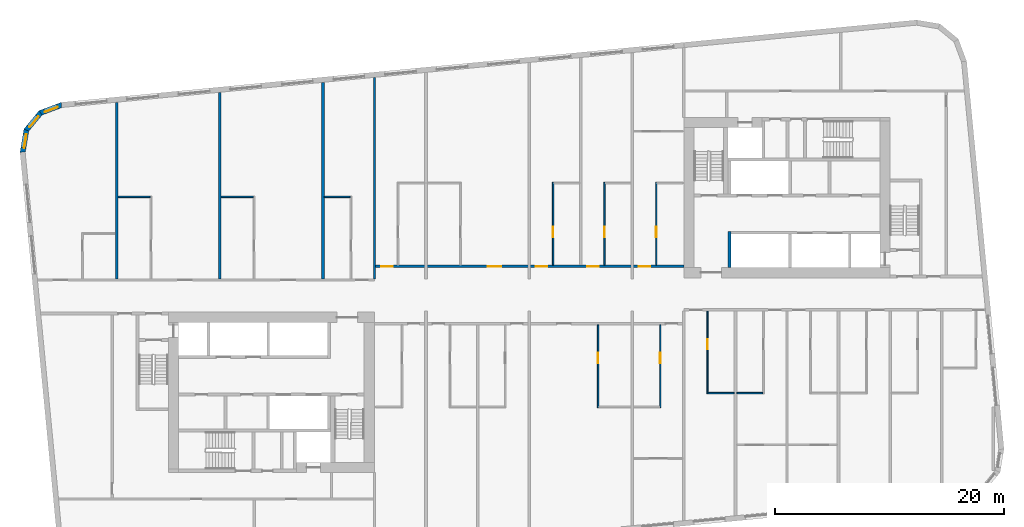
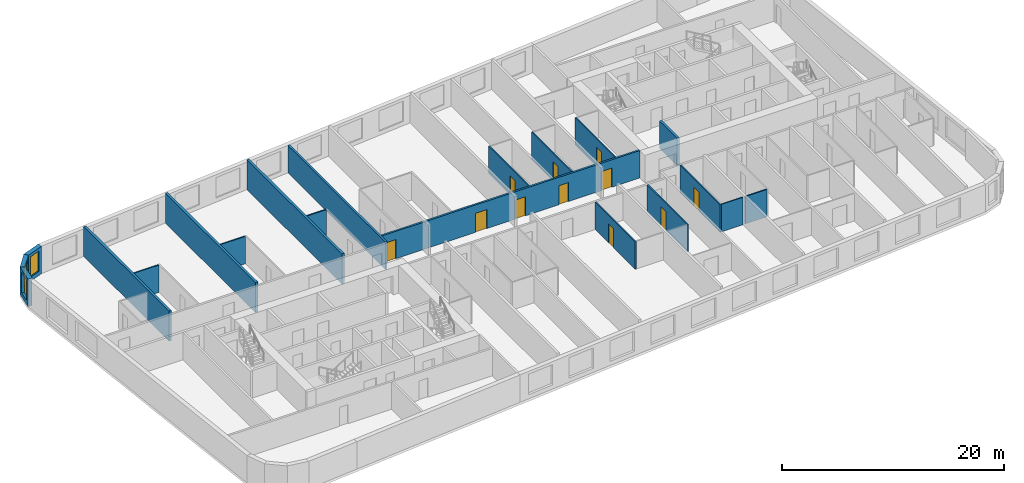
# One storey, part 5 of 12: 20 walls, 11 doors, 3 windows, 14 openings.
"""IFC4 building model written with IfcOpenShell, lengths in metres."""

from ifc_helpers import new_model, si_unit, direction, frame, frame_2d, origin, place, context, subcontext, project, spatial, polyline, rectangle, outline, extrude, material, layer, layer_set, type_object, element, fill, save


model = new_model("IFC4")

# Units and contexts
model_context = context("Model", 3, precision=1e-05, world=origin(), true_north=direction((0.0, 1.0)))
body_context = subcontext(model_context, "Body", "Model", "MODEL_VIEW")
ifc_project = project(units=[si_unit("LENGTHUNIT", "METRE"), si_unit("AREAUNIT", "SQUARE_METRE"), si_unit("VOLUMEUNIT", "CUBIC_METRE"), si_unit("PLANEANGLEUNIT", "RADIAN"), si_unit("MASSUNIT", "GRAM", prefix="KILO")], contexts=[model_context])

# Site, building, storey
site_placement = place(None, origin())
site = spatial("IfcSite", under=ifc_project, at=site_placement, CompositionType="ELEMENT")
building_placement = place(site_placement, origin())
building = spatial("IfcBuilding", under=site, at=building_placement, Name="Kajstack Hotel Tower", CompositionType="ELEMENT")
storey_placement = place(building_placement, frame((0.0, 0.0, 193.300048828125)))
storey = spatial("IfcBuildingStorey", under=building, at=storey_placement, Name="L46", CompositionType="ELEMENT", Elevation=193.300048828125)

# Wall, openings, doors
ifc_material_1 = material(Name="Gypsum board on steel studs, mineral wool", Category="steel")
ifc_layer_1 = layer(ifc_material_1, 0.199951171875)
ifc_layer_set_1 = layer_set([ifc_layer_1], Name="Corridor wall 200")
wall_type_1 = type_object("IfcWallType", Name="Corridor wall 200", PredefinedType="PARTITIONING", material=ifc_layer_set_1)
wall_1_placement = place(storey_placement, frame((-13.5, 2.5, 0.0), z_axis=(0.0, 0.0, 1.0), x_axis=(1.0, 0.0, 0.0)))
wall_1 = element("IfcWall", 1, at=wall_1_placement, inside=storey, type_object=wall_type_1, Name="G-wall-L46-004", PredefinedType="PARTITIONING", context=body_context, shape_type="SweptSolid", body=[
    extrude(rectangle(XDim=27.0, YDim=0.199951171875, at=frame_2d((13.5, 0.0))), origin(), (0.0, 0.0, 1.0), 3.02001953125),
])
opening_1_placement = place(wall_1_placement, frame((0.574951171875, 0.0, 0.0)))
opening_1 = element("IfcOpeningElement", 2, at=opening_1_placement, cuts=wall_1, Name="Opening 46009", PredefinedType="OPENING", context=body_context, shape_type="SweptSolid", body=[
    extrude(rectangle(XDim=1.0, YDim=2.10009765625, at=frame_2d((0.5, 1.050048828125))), frame((0.0, 0.10986328125, 0.0), z_axis=(0.0, -1.0, 0.0), x_axis=(1.0, 0.0, 0.0)), (0.0, 0.0, 1.0), 0.219970703125),
])
opening_2_placement = place(wall_1_placement, frame((9.863037109375, 0.0, 0.0)))
opening_2 = element("IfcOpeningElement", 3, at=opening_2_placement, cuts=wall_1, Name="Opening 46011", PredefinedType="OPENING", context=body_context, shape_type="SweptSolid", body=[
    extrude(rectangle(XDim=1.199951171875, YDim=2.10009765625, at=frame_2d((0.60009765625, 1.050048828125))), frame((0.0, 0.10986328125, 0.0), z_axis=(0.0, -1.0, 0.0), x_axis=(1.0, 0.0, 0.0)), (0.0, 0.0, 1.0), 0.219970703125),
])
opening_3_placement = place(wall_1_placement, frame((14.074951171875, 0.0, 0.0)))
opening_3 = element("IfcOpeningElement", 4, at=opening_3_placement, cuts=wall_1, Name="Opening 46013", PredefinedType="OPENING", context=body_context, shape_type="SweptSolid", body=[
    extrude(rectangle(XDim=1.0, YDim=2.10009765625, at=frame_2d((0.5, 1.050048828125))), frame((0.0, 0.10986328125, 0.0), z_axis=(0.0, -1.0, 0.0), x_axis=(1.0, 0.0, 0.0)), (0.0, 0.0, 1.0), 0.219970703125),
])
opening_4_placement = place(wall_1_placement, frame((18.550048828125, 0.0, 0.0)))
opening_4 = element("IfcOpeningElement", 5, at=opening_4_placement, cuts=wall_1, Name="Opening 46015", PredefinedType="OPENING", context=body_context, shape_type="SweptSolid", body=[
    extrude(rectangle(XDim=1.0, YDim=2.10009765625, at=frame_2d((0.5, 1.050048828125))), frame((0.0, 0.10986328125, 0.0), z_axis=(0.0, -1.0, 0.0), x_axis=(1.0, 0.0, 0.0)), (0.0, 0.0, 1.0), 0.219970703125),
])
opening_5_placement = place(wall_1_placement, frame((23.074951171875, 0.0, 0.0)))
opening_5 = element("IfcOpeningElement", 6, at=opening_5_placement, cuts=wall_1, Name="Opening 46017", PredefinedType="OPENING", context=body_context, shape_type="SweptSolid", body=[
    extrude(rectangle(XDim=1.0, YDim=2.10009765625, at=frame_2d((0.5, 1.050048828125))), frame((0.0, 0.10986328125, 0.0), z_axis=(0.0, -1.0, 0.0), x_axis=(1.0, 0.0, 0.0)), (0.0, 0.0, 1.0), 0.219970703125),
])
ifc_material_2 = material(Name="Oak veneer on timber core, fire-rated leaf", Category="wood")
door_type_1 = type_object("IfcDoorType", Name="Flat entrance door 1000", OperationType="SINGLE_SWING_LEFT", PredefinedType="DOOR", material=ifc_material_2)
door_1_placement = place(opening_1_placement, origin())
door_1 = element("IfcDoor", 7, at=door_1_placement, inside=storey, type_object=door_type_1, Name="G-door-L46-09", OperationType="SINGLE_SWING_LEFT", OverallHeight=2.10009765625, OverallWidth=1.0, PredefinedType="DOOR", context=body_context, shape_type="SweptSolid", body=[
    extrude(rectangle(XDim=1.0, YDim=2.10009765625, at=frame_2d((0.5, 1.050048828125))), frame((0.0, 0.02490234375, 0.0), z_axis=(0.0, -1.0, 0.0), x_axis=(1.0, 0.0, 0.0)), (0.0, 0.0, 1.0), 0.050048828125),
])
fill(opening_1, door_1)
door_2_placement = place(opening_3_placement, origin())
door_2 = element("IfcDoor", 8, at=door_2_placement, inside=storey, type_object=door_type_1, Name="G-door-L46-13", OperationType="SINGLE_SWING_RIGHT", OverallHeight=2.10009765625, OverallWidth=1.0, PredefinedType="DOOR", context=body_context, shape_type="SweptSolid", body=[
    extrude(rectangle(XDim=1.0, YDim=2.10009765625, at=frame_2d((0.5, 1.050048828125))), frame((0.0, 0.02490234375, 0.0), z_axis=(0.0, -1.0, 0.0), x_axis=(1.0, 0.0, 0.0)), (0.0, 0.0, 1.0), 0.050048828125),
])
fill(opening_3, door_2)
door_3_placement = place(opening_4_placement, origin())
door_3 = element("IfcDoor", 9, at=door_3_placement, inside=storey, type_object=door_type_1, Name="G-door-L46-15", OperationType="SINGLE_SWING_LEFT", OverallHeight=2.10009765625, OverallWidth=1.0, PredefinedType="DOOR", context=body_context, shape_type="SweptSolid", body=[
    extrude(rectangle(XDim=1.0, YDim=2.10009765625, at=frame_2d((0.5, 1.050048828125))), frame((0.0, 0.02490234375, 0.0), z_axis=(0.0, -1.0, 0.0), x_axis=(1.0, 0.0, 0.0)), (0.0, 0.0, 1.0), 0.050048828125),
])
fill(opening_4, door_3)
door_4_placement = place(opening_5_placement, origin())
door_4 = element("IfcDoor", 10, at=door_4_placement, inside=storey, type_object=door_type_1, Name="G-door-L46-17", OperationType="SINGLE_SWING_LEFT", OverallHeight=2.10009765625, OverallWidth=1.0, PredefinedType="DOOR", context=body_context, shape_type="SweptSolid", body=[
    extrude(rectangle(XDim=1.0, YDim=2.10009765625, at=frame_2d((0.5, 1.050048828125))), frame((0.0, 0.02490234375, 0.0), z_axis=(0.0, -1.0, 0.0), x_axis=(1.0, 0.0, 0.0)), (0.0, 0.0, 1.0), 0.050048828125),
])
fill(opening_5, door_4)
door_type_2 = type_object("IfcDoorType", Name="Flat entrance door 1200", OperationType="SINGLE_SWING_LEFT", PredefinedType="DOOR", material=ifc_material_2)
door_5_placement = place(opening_2_placement, origin())
door_5 = element("IfcDoor", 11, at=door_5_placement, inside=storey, type_object=door_type_2, Name="G-door-L46-11", OperationType="SINGLE_SWING_LEFT", OverallHeight=2.10009765625, OverallWidth=1.199951171875, PredefinedType="DOOR", context=body_context, shape_type="SweptSolid", body=[
    extrude(rectangle(XDim=1.199951171875, YDim=2.10009765625, at=frame_2d((0.60009765625, 1.050048828125))), frame((0.0, 0.02490234375, 0.0), z_axis=(0.0, -1.0, 0.0), x_axis=(1.0, 0.0, 0.0)), (0.0, 0.0, 1.0), 0.050048828125),
])
fill(opening_2, door_5)

# Wall
ifc_material_3 = material(Name="Twin-frame gypsum board on steel studs, mineral wool", Category="steel")
ifc_layer_2 = layer(ifc_material_3, 0.199951171875)
ifc_layer_set_2 = layer_set([ifc_layer_2], Name="Demising wall 200")
wall_type_2 = type_object("IfcWallType", Name="Demising wall 200", PredefinedType="PARTITIONING", material=ifc_layer_set_2)
wall_2_placement = place(storey_placement, frame((-13.5, 1.39990234375, 0.0), z_axis=(0.0, 0.0, 1.0), x_axis=(0.0, 1.0, 0.0)))
element("IfcWall", 12, at=wall_2_placement, inside=storey, type_object=wall_type_2, Name="G-wall-L46-011", PredefinedType="PARTITIONING", context=body_context, shape_type="SweptSolid", body=[
    extrude(rectangle(XDim=17.590087890625, YDim=0.199951171875, at=frame_2d((8.794921875, 0.0))), origin(), (0.0, 0.0, 1.0), 3.02001953125),
])

# Wall, opening, window
ifc_material_4 = material(Name="Terracotta-faced brick masonry", Category="masonry")
ifc_layer_3 = layer(ifc_material_4, 0.449951171875)
ifc_layer_set_3 = layer_set([ifc_layer_3], Name="EW-TERRA")
wall_type_3 = type_object("IfcWallType", Name="EW-TERRA", PredefinedType="SOLIDWALL", material=ifc_layer_set_3)
wall_3_placement = place(storey_placement, frame((-40.76123046875, 16.598388671875, 0.0), z_axis=(0.0, 0.0, 1.0), x_axis=(-0.936677599948, -0.350192909346, 0.0)))
wall_3 = element("IfcWall", 13, at=wall_3_placement, inside=storey, type_object=wall_type_3, Name="E-wall-L46-13-00", PredefinedType="SOLIDWALL", context=body_context, shape_type="SweptSolid", body=[
    extrude(outline(polyline([(0.0, -0.22509765625), (2.070556640625, -0.224853515625), (1.949951171875, 0.22509765625), (0.12060546875, 0.22509765625), (0.0, -0.22509765625)])), origin(), (0.0, 0.0, 1.0), 3.02001953125),
])
opening_6_placement = place(wall_3_placement, frame((0.435302734375, 0.0, 0.449951171875)))
opening_6 = element("IfcOpeningElement", 14, at=opening_6_placement, cuts=wall_3, Name="Opening W3", PredefinedType="OPENING", context=body_context, shape_type="SweptSolid", body=[
    extrude(rectangle(XDim=1.199951171875, YDim=2.25, at=frame_2d((0.60009765625, 1.125))), frame((0.0, 0.23486328125, 0.0), z_axis=(0.0, -1.0, 0.0), x_axis=(1.0, 0.0, 0.0)), (0.0, 0.0, 1.0), 0.469970703125),
])
ifc_material_5 = material(Name="Timber-aluminium window, triple glazed", Category="wood")
window_type = type_object("IfcWindowType", Name="WG3", PartitioningType="SINGLE_PANEL", PredefinedType="WINDOW", material=ifc_material_5)
window_1_placement = place(opening_6_placement, origin())
window_1 = element("IfcWindow", 15, at=window_1_placement, inside=storey, type_object=window_type, Name="Window W3 L46-13", OverallHeight=2.25, OverallWidth=1.199951171875, PartitioningType="SINGLE_PANEL", PredefinedType="WINDOW", context=body_context, shape_type="SweptSolid", body=[
    extrude(rectangle(XDim=1.199951171875, YDim=2.25, at=frame_2d((0.60009765625, 1.125))), frame((0.0, 0.090087890625, 0.0), z_axis=(0.0, -1.0, 0.0), x_axis=(1.0, 0.0, 0.0)), (0.0, 0.0, 1.0), 0.06005859375),
])
fill(opening_6, window_1)

wall_4_placement = place(storey_placement, frame((-42.60595703125, 15.94091796875, 0.0), z_axis=(0.0, 0.0, 1.0), x_axis=(-0.636116318187, -0.771593176315, 0.0)))
wall_4 = element("IfcWall", 16, at=wall_4_placement, inside=storey, type_object=wall_type_3, Name="E-wall-L46-14-00", PredefinedType="SOLIDWALL", context=body_context, shape_type="SweptSolid", body=[
    extrude(outline(polyline([(0.0, -0.224853515625), (2.070556640625, -0.224853515625), (1.949951171875, 0.22509765625), (0.12060546875, 0.22509765625), (0.0, -0.224853515625)])), origin(), (0.0, 0.0, 1.0), 3.02001953125),
])
opening_7_placement = place(wall_4_placement, frame((0.435302734375, 0.0, 0.449951171875)))
opening_7 = element("IfcOpeningElement", 17, at=opening_7_placement, cuts=wall_4, Name="Opening W3", PredefinedType="OPENING", context=body_context, shape_type="SweptSolid", body=[
    extrude(rectangle(XDim=1.199951171875, YDim=2.25, at=frame_2d((0.60009765625, 1.125))), frame((0.0, 0.23486328125, 0.0), z_axis=(0.0, -1.0, 0.0), x_axis=(1.0, 0.0, 0.0)), (0.0, 0.0, 1.0), 0.469970703125),
])
window_2_placement = place(opening_7_placement, origin())
window_2 = element("IfcWindow", 18, at=window_2_placement, inside=storey, type_object=window_type, Name="Window W3 L46-14", OverallHeight=2.25, OverallWidth=1.199951171875, PartitioningType="SINGLE_PANEL", PredefinedType="WINDOW", context=body_context, shape_type="SweptSolid", body=[
    extrude(rectangle(XDim=1.199951171875, YDim=2.25, at=frame_2d((0.60009765625, 1.125))), frame((0.0, 0.090087890625, 0.0), z_axis=(0.0, -1.0, 0.0), x_axis=(1.0, 0.0, 0.0)), (0.0, 0.0, 1.0), 0.06005859375),
])
fill(opening_7, window_2)

wall_5_placement = place(storey_placement, frame((-43.874755859375, 14.44921875, 0.0), z_axis=(0.0, 0.0, 1.0), x_axis=(-0.164953448126, -0.986301353518, 0.0)))
wall_5 = element("IfcWall", 19, at=wall_5_placement, inside=storey, type_object=wall_type_3, Name="E-wall-L46-15-00", PredefinedType="SOLIDWALL", context=body_context, shape_type="SweptSolid", body=[
    extrude(outline(polyline([(0.0, -0.224853515625), (2.070556640625, -0.22509765625), (1.9501953125, 0.224853515625), (0.12060546875, 0.22509765625), (0.0, -0.224853515625)])), origin(), (0.0, 0.0, 1.0), 3.02001953125),
])
opening_8_placement = place(wall_5_placement, frame((0.435302734375, 0.0, 0.449951171875)))
opening_8 = element("IfcOpeningElement", 20, at=opening_8_placement, cuts=wall_5, Name="Opening W3", PredefinedType="OPENING", context=body_context, shape_type="SweptSolid", body=[
    extrude(rectangle(XDim=1.199951171875, YDim=2.25, at=frame_2d((0.60009765625, 1.125))), frame((0.0, 0.23486328125, 0.0), z_axis=(0.0, -1.0, 0.0), x_axis=(1.0, 0.0, 0.0)), (0.0, 0.0, 1.0), 0.469970703125),
])
window_3_placement = place(opening_8_placement, origin())
window_3 = element("IfcWindow", 21, at=window_3_placement, inside=storey, type_object=window_type, Name="Window W3 L46-15", OverallHeight=2.25, OverallWidth=1.199951171875, PartitioningType="SINGLE_PANEL", PredefinedType="WINDOW", context=body_context, shape_type="SweptSolid", body=[
    extrude(rectangle(XDim=1.199951171875, YDim=2.25, at=frame_2d((0.60009765625, 1.125))), frame((0.0, 0.090087890625, 0.0), z_axis=(0.0, -1.0, 0.0), x_axis=(1.0, 0.0, 0.0)), (0.0, 0.0, 1.0), 0.06005859375),
])
fill(opening_8, window_3)

# Walls
ifc_material_6 = material(Name="Gypsum board and tiled backer on steel studs", Category="steel")
ifc_layer_4 = layer(ifc_material_6, 0.125)
ifc_layer_set_4 = layer_set([ifc_layer_4], Name="En-suite wall 125")
wall_type_4 = type_object("IfcWallType", Name="En-suite wall 125", PredefinedType="PARTITIONING", material=ifc_layer_set_4)
for number, where, z_axis, x_axis, name in (
    (22, (-35.875, 8.56201171875, 0.0), (0.0, 0.0, 1.0), (1.0, 0.0, 0.0), "G-wall-L46-008"),
    (23, (-26.875, 8.56201171875, 0.0), (0.0, 0.0, 1.0), (1.0, 0.0, 0.0), "G-wall-L46-010"),
):
    element("IfcWall", number, at=place(storey_placement, frame(where, z_axis=z_axis, x_axis=x_axis)), inside=storey, type_object=wall_type_4, Name=name, PredefinedType="PARTITIONING", context=body_context, shape_type="SweptSolid", body=[
        extrude(rectangle(XDim=2.800048828125, YDim=0.125, at=frame_2d((1.39990234375, 0.0))), origin(), (0.0, 0.0, 1.0), 3.02001953125),
    ])
wall_6_placement = place(storey_placement, frame((-17.875, 8.56201171875, 0.0), z_axis=(0.0, 0.0, 1.0), x_axis=(1.0, 0.0, 0.0)))
element("IfcWall", 24, at=wall_6_placement, inside=storey, type_object=wall_type_4, Name="G-wall-L46-013", PredefinedType="PARTITIONING", context=body_context, shape_type="SweptSolid", body=[
    extrude(rectangle(XDim=2.25, YDim=0.125, at=frame_2d((1.125, 0.0))), origin(), (0.0, 0.0, 1.0), 3.02001953125),
])

# Wall, opening, door
wall_7_placement = place(storey_placement, frame((2.0869140625, 2.60009765625, 0.0), z_axis=(0.0, 0.0, 1.0), x_axis=(0.0, 1.0, 0.0)))
wall_7 = element("IfcWall", 25, at=wall_7_placement, inside=storey, type_object=wall_type_4, Name="G-wall-L46-019", PredefinedType="PARTITIONING", context=body_context, shape_type="SweptSolid", body=[
    extrude(rectangle(XDim=7.224853515625, YDim=0.125, at=frame_2d((3.6123046875, 0.0))), origin(), (0.0, 0.0, 1.0), 3.02001953125),
])
opening_9_placement = place(wall_7_placement, frame((2.449951171875, 0.0, 0.0)))
opening_9 = element("IfcOpeningElement", 26, at=opening_9_placement, cuts=wall_7, Name="Opening 46014", PredefinedType="OPENING", context=body_context, shape_type="SweptSolid", body=[
    extrude(rectangle(XDim=0.89990234375, YDim=2.10009765625, at=frame_2d((0.449951171875, 1.050048828125))), frame((0.0, 0.072509765625, 0.0), z_axis=(0.0, -1.0, 0.0), x_axis=(1.0, 0.0, 0.0)), (0.0, 0.0, 1.0), 0.14501953125),
])
ifc_material_7 = material(Name="Painted timber door leaf", Category="wood")
door_type_3 = type_object("IfcDoorType", Name="Room door 900", OperationType="SINGLE_SWING_LEFT", PredefinedType="DOOR", material=ifc_material_7)
door_6_placement = place(opening_9_placement, origin())
door_6 = element("IfcDoor", 27, at=door_6_placement, inside=storey, type_object=door_type_3, Name="G-door-L46-14", OperationType="SINGLE_SWING_RIGHT", OverallHeight=2.10009765625, OverallWidth=0.89990234375, PredefinedType="DOOR", context=body_context, shape_type="SweptSolid", body=[
    extrude(rectangle(XDim=0.89990234375, YDim=2.10009765625, at=frame_2d((0.449951171875, 1.050048828125))), frame((0.0, 0.02490234375, 0.0), z_axis=(0.0, -1.0, 0.0), x_axis=(1.0, 0.0, 0.0)), (0.0, 0.0, 1.0), 0.050048828125),
])
fill(opening_9, door_6)

wall_8_placement = place(storey_placement, frame((6.56201171875, 2.60009765625, 0.0), z_axis=(0.0, 0.0, 1.0), x_axis=(0.0, 1.0, 0.0)))
wall_8 = element("IfcWall", 28, at=wall_8_placement, inside=storey, type_object=wall_type_4, Name="G-wall-L46-021", PredefinedType="PARTITIONING", context=body_context, shape_type="SweptSolid", body=[
    extrude(rectangle(XDim=7.224853515625, YDim=0.125, at=frame_2d((3.6123046875, 0.0))), origin(), (0.0, 0.0, 1.0), 3.02001953125),
])
opening_10_placement = place(wall_8_placement, frame((2.449951171875, 0.0, 0.0)))
opening_10 = element("IfcOpeningElement", 29, at=opening_10_placement, cuts=wall_8, Name="Opening 46016", PredefinedType="OPENING", context=body_context, shape_type="SweptSolid", body=[
    extrude(rectangle(XDim=0.89990234375, YDim=2.10009765625, at=frame_2d((0.449951171875, 1.050048828125))), frame((0.0, 0.072509765625, 0.0), z_axis=(0.0, -1.0, 0.0), x_axis=(1.0, 0.0, 0.0)), (0.0, 0.0, 1.0), 0.14501953125),
])
door_7_placement = place(opening_10_placement, origin())
door_7 = element("IfcDoor", 30, at=door_7_placement, inside=storey, type_object=door_type_3, Name="G-door-L46-16", OperationType="SINGLE_SWING_LEFT", OverallHeight=2.10009765625, OverallWidth=0.89990234375, PredefinedType="DOOR", context=body_context, shape_type="SweptSolid", body=[
    extrude(rectangle(XDim=0.89990234375, YDim=2.10009765625, at=frame_2d((0.449951171875, 1.050048828125))), frame((0.0, 0.02490234375, 0.0), z_axis=(0.0, -1.0, 0.0), x_axis=(1.0, 0.0, 0.0)), (0.0, 0.0, 1.0), 0.050048828125),
])
fill(opening_10, door_7)

wall_9_placement = place(storey_placement, frame((11.087890625, 2.60009765625, 0.0), z_axis=(0.0, 0.0, 1.0), x_axis=(0.0, 1.0, 0.0)))
wall_9 = element("IfcWall", 31, at=wall_9_placement, inside=storey, type_object=wall_type_4, Name="G-wall-L46-023", PredefinedType="PARTITIONING", context=body_context, shape_type="SweptSolid", body=[
    extrude(rectangle(XDim=7.224853515625, YDim=0.125, at=frame_2d((3.6123046875, 0.0))), origin(), (0.0, 0.0, 1.0), 3.02001953125),
])
opening_11_placement = place(wall_9_placement, frame((2.449951171875, 0.0, 0.0)))
opening_11 = element("IfcOpeningElement", 32, at=opening_11_placement, cuts=wall_9, Name="Opening 46018", PredefinedType="OPENING", context=body_context, shape_type="SweptSolid", body=[
    extrude(rectangle(XDim=0.89990234375, YDim=2.10009765625, at=frame_2d((0.449951171875, 1.050048828125))), frame((0.0, 0.072509765625, 0.0), z_axis=(0.0, -1.0, 0.0), x_axis=(1.0, 0.0, 0.0)), (0.0, 0.0, 1.0), 0.14501953125),
])
door_8_placement = place(opening_11_placement, origin())
door_8 = element("IfcDoor", 33, at=door_8_placement, inside=storey, type_object=door_type_3, Name="G-door-L46-18", OperationType="SINGLE_SWING_RIGHT", OverallHeight=2.10009765625, OverallWidth=0.89990234375, PredefinedType="DOOR", context=body_context, shape_type="SweptSolid", body=[
    extrude(rectangle(XDim=0.89990234375, YDim=2.10009765625, at=frame_2d((0.449951171875, 1.050048828125))), frame((0.0, 0.02490234375, 0.0), z_axis=(0.0, -1.0, 0.0), x_axis=(1.0, 0.0, 0.0)), (0.0, 0.0, 1.0), 0.050048828125),
])
fill(opening_11, door_8)

wall_10_placement = place(storey_placement, frame((6.012939453125, -9.824951171875, 0.0), z_axis=(0.0, 0.0, 1.0), x_axis=(0.0, 1.0, 0.0)))
wall_10 = element("IfcWall", 34, at=wall_10_placement, inside=storey, type_object=wall_type_4, Name="G-wall-L46-035", PredefinedType="PARTITIONING", context=body_context, shape_type="SweptSolid", body=[
    extrude(rectangle(XDim=7.224853515625, YDim=0.125, at=frame_2d((3.6123046875, 0.0))), origin(), (0.0, 0.0, 1.0), 3.02001953125),
])
opening_12_placement = place(wall_10_placement, frame((3.875, 0.0, 0.0)))
opening_12 = element("IfcOpeningElement", 35, at=opening_12_placement, cuts=wall_10, Name="Opening 46027", PredefinedType="OPENING", context=body_context, shape_type="SweptSolid", body=[
    extrude(rectangle(XDim=0.89990234375, YDim=2.10009765625, at=frame_2d((0.449951171875, 1.050048828125))), frame((0.0, 0.072509765625, 0.0), z_axis=(0.0, -1.0, 0.0), x_axis=(1.0, 0.0, 0.0)), (0.0, 0.0, 1.0), 0.14501953125),
])
door_9_placement = place(opening_12_placement, origin())
door_9 = element("IfcDoor", 36, at=door_9_placement, inside=storey, type_object=door_type_3, Name="G-door-L46-27", OperationType="SINGLE_SWING_LEFT", OverallHeight=2.10009765625, OverallWidth=0.89990234375, PredefinedType="DOOR", context=body_context, shape_type="SweptSolid", body=[
    extrude(rectangle(XDim=0.89990234375, YDim=2.10009765625, at=frame_2d((0.449951171875, 1.050048828125))), frame((0.0, 0.02490234375, 0.0), z_axis=(0.0, -1.0, 0.0), x_axis=(1.0, 0.0, 0.0)), (0.0, 0.0, 1.0), 0.050048828125),
])
fill(opening_12, door_9)

wall_11_placement = place(storey_placement, frame((11.43798828125, -9.824951171875, 0.0), z_axis=(0.0, 0.0, 1.0), x_axis=(0.0, 1.0, 0.0)))
wall_11 = element("IfcWall", 37, at=wall_11_placement, inside=storey, type_object=wall_type_4, Name="G-wall-L46-038", PredefinedType="PARTITIONING", context=body_context, shape_type="SweptSolid", body=[
    extrude(rectangle(XDim=7.224853515625, YDim=0.125, at=frame_2d((3.6123046875, 0.0))), origin(), (0.0, 0.0, 1.0), 3.02001953125),
])
opening_13_placement = place(wall_11_placement, frame((3.875, 0.0, 0.0)))
opening_13 = element("IfcOpeningElement", 38, at=opening_13_placement, cuts=wall_11, Name="Opening 46029", PredefinedType="OPENING", context=body_context, shape_type="SweptSolid", body=[
    extrude(rectangle(XDim=0.89990234375, YDim=2.10009765625, at=frame_2d((0.449951171875, 1.050048828125))), frame((0.0, 0.072509765625, 0.0), z_axis=(0.0, -1.0, 0.0), x_axis=(1.0, 0.0, 0.0)), (0.0, 0.0, 1.0), 0.14501953125),
])
door_10_placement = place(opening_13_placement, origin())
door_10 = element("IfcDoor", 39, at=door_10_placement, inside=storey, type_object=door_type_3, Name="G-door-L46-29", OperationType="SINGLE_SWING_RIGHT", OverallHeight=2.10009765625, OverallWidth=0.89990234375, PredefinedType="DOOR", context=body_context, shape_type="SweptSolid", body=[
    extrude(rectangle(XDim=0.89990234375, YDim=2.10009765625, at=frame_2d((0.449951171875, 1.050048828125))), frame((0.0, 0.02490234375, 0.0), z_axis=(0.0, -1.0, 0.0), x_axis=(1.0, 0.0, 0.0)), (0.0, 0.0, 1.0), 0.050048828125),
])
fill(opening_13, door_10)

wall_12_placement = place(storey_placement, frame((15.56201171875, -8.625, 0.0), z_axis=(0.0, 0.0, 1.0), x_axis=(0.0, 1.0, 0.0)))
wall_12 = element("IfcWall", 40, at=wall_12_placement, inside=storey, type_object=wall_type_4, Name="G-wall-L46-041", PredefinedType="PARTITIONING", context=body_context, shape_type="SweptSolid", body=[
    extrude(rectangle(XDim=7.22509765625, YDim=0.125, at=frame_2d((3.612548828125, 0.0))), origin(), (0.0, 0.0, 1.0), 3.02001953125),
])
opening_14_placement = place(wall_12_placement, frame((3.875, 0.0, 0.0)))
opening_14 = element("IfcOpeningElement", 41, at=opening_14_placement, cuts=wall_12, Name="Opening 46032", PredefinedType="OPENING", context=body_context, shape_type="SweptSolid", body=[
    extrude(rectangle(XDim=0.89990234375, YDim=2.10009765625, at=frame_2d((0.449951171875, 1.050048828125))), frame((0.0, 0.072509765625, 0.0), z_axis=(0.0, -1.0, 0.0), x_axis=(1.0, 0.0, 0.0)), (0.0, 0.0, 1.0), 0.14501953125),
])
door_11_placement = place(opening_14_placement, origin())
door_11 = element("IfcDoor", 42, at=door_11_placement, inside=storey, type_object=door_type_3, Name="G-door-L46-32", OperationType="SINGLE_SWING_LEFT", OverallHeight=2.10009765625, OverallWidth=0.89990234375, PredefinedType="DOOR", context=body_context, shape_type="SweptSolid", body=[
    extrude(rectangle(XDim=0.89990234375, YDim=2.10009765625, at=frame_2d((0.449951171875, 1.050048828125))), frame((0.0, 0.02490234375, 0.0), z_axis=(0.0, -1.0, 0.0), x_axis=(1.0, 0.0, 0.0)), (0.0, 0.0, 1.0), 0.050048828125),
])
fill(opening_14, door_11)

# Walls
for number, where, z_axis, x_axis, name in (
    (43, (15.625, -8.56201171875, 0.0), (0.0, 0.0, 1.0), (1.0, 0.0, 0.0), "G-wall-L46-042"),
    (44, (18.125, -8.56201171875, 0.0), (0.0, 0.0, 1.0), (1.0, 0.0, 0.0), "G-wall-L46-045"),
):
    element("IfcWall", number, at=place(storey_placement, frame(where, z_axis=z_axis, x_axis=x_axis)), inside=storey, type_object=wall_type_4, Name=name, PredefinedType="PARTITIONING", context=body_context, shape_type="SweptSolid", body=[
        extrude(rectangle(XDim=2.25, YDim=0.125, at=frame_2d((1.125, 0.0))), origin(), (0.0, 0.0, 1.0), 3.02001953125),
    ])
ifc_material_8 = material(Name="Concrete C50/60", Category="concrete")
ifc_layer_5 = layer(ifc_material_8, 0.25)
ifc_layer_set_5 = layer_set([ifc_layer_5], Name="RC cross wall 250 C50/60")
wall_type_5 = type_object("IfcWallType", Name="RC cross wall 250 C50/60", PredefinedType="SHEAR", material=ifc_layer_set_5)
wall_13_placement = place(storey_placement, frame((-36.0, 1.39990234375, 0.0), z_axis=(0.0, 0.0, 1.0), x_axis=(0.0, 1.0, 0.0)))
element("IfcWall", 45, at=wall_13_placement, inside=storey, type_object=wall_type_5, Name="S-wall-L46-01", PredefinedType="SHEAR", context=body_context, shape_type="SweptSolid", body=[
    extrude(rectangle(XDim=15.401123046875, YDim=0.25, at=frame_2d((7.70068359375, 0.0))), origin(), (0.0, 0.0, 1.0), 3.300048828125),
])
wall_14_placement = place(storey_placement, frame((-27.0, 1.39990234375, 0.0), z_axis=(0.0, 0.0, 1.0), x_axis=(0.0, 1.0, 0.0)))
element("IfcWall", 46, at=wall_14_placement, inside=storey, type_object=wall_type_5, Name="S-wall-L46-02", PredefinedType="SHEAR", context=body_context, shape_type="SweptSolid", body=[
    extrude(rectangle(XDim=16.267578125, YDim=0.25, at=frame_2d((8.1337890625, 0.0))), origin(), (0.0, 0.0, 1.0), 3.300048828125),
])
wall_15_placement = place(storey_placement, frame((-18.0, 1.39990234375, 0.0), z_axis=(0.0, 0.0, 1.0), x_axis=(0.0, 1.0, 0.0)))
element("IfcWall", 47, at=wall_15_placement, inside=storey, type_object=wall_type_5, Name="S-wall-L46-03", PredefinedType="SHEAR", context=body_context, shape_type="SweptSolid", body=[
    extrude(rectangle(XDim=17.13427734375, YDim=0.25, at=frame_2d((8.567138671875, 0.0))), origin(), (0.0, 0.0, 1.0), 3.300048828125),
])
ifc_layer_6 = layer(ifc_material_8, 0.25)
ifc_layer_set_6 = layer_set([ifc_layer_6], Name="Shaft wall 250")
wall_type_6 = type_object("IfcWallType", Name="Shaft wall 250", PredefinedType="SHEAR", material=ifc_layer_set_6)
wall_16_placement = place(storey_placement, frame((17.47509765625, 2.39990234375, 0.0), z_axis=(0.0, 0.0, 1.0), x_axis=(0.0, 1.0, 0.0)))
element("IfcWall", 48, at=wall_16_placement, inside=storey, type_object=wall_type_6, Name="Core wall E AE", PredefinedType="SHEAR", context=body_context, shape_type="SweptSolid", body=[
    extrude(rectangle(XDim=3.150146484375, YDim=0.25, at=frame_2d((1.5751953125, 0.0))), origin(), (0.0, 0.0, 1.0), 3.02001953125),
])

save(model, "model.ifc")
